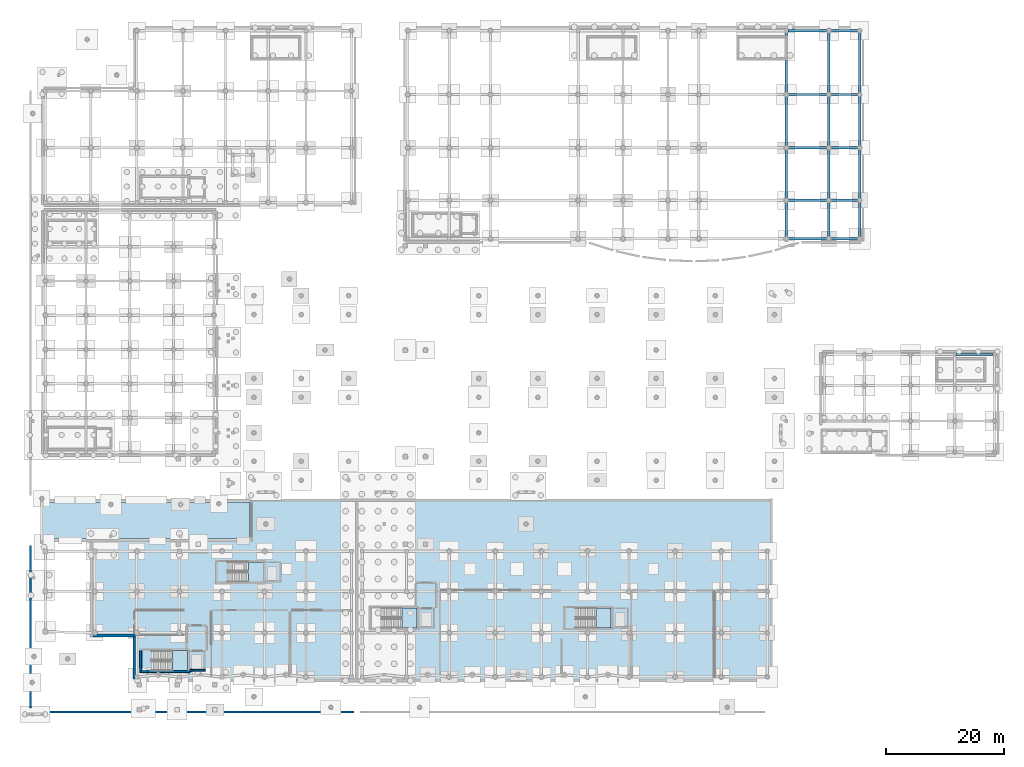
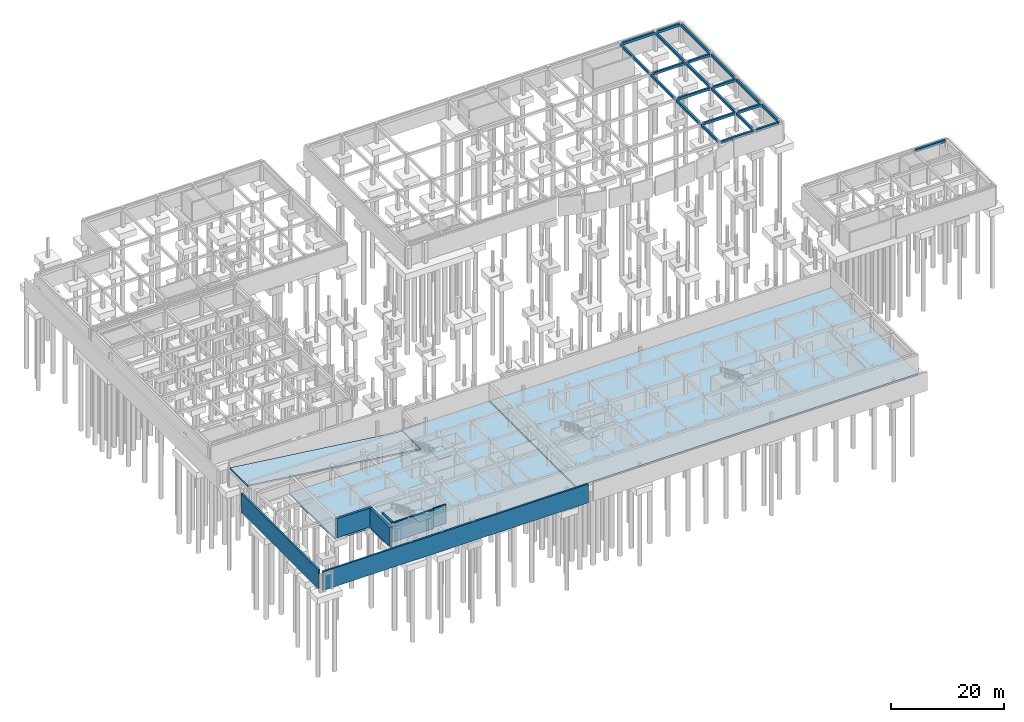
# One storey, part 14 of 22: 23 beams, 7 slabs, 7 walls, 4 elements without a shape of their own.
"""IFC4 building model written with IfcOpenShell, lengths in metres."""

from ifc_helpers import new_model, si_unit, direction, frame, frame_2d, origin, origin_2d, place, context, subcontext, project, spatial, polyline, rectangle, outline, extrude, material, layer, layer_set, material_profile, profile_set, type_object, element, aggregate, save


model = new_model("IFC4")

# Units and contexts
model_context = context("Model", 3, precision=1e-05, world=origin(), true_north=direction((0.0, 1.0)))
body_context = subcontext(model_context, "Body", "Model", "MODEL_VIEW")
ifc_project = project(units=[si_unit("LENGTHUNIT", "METRE"), si_unit("AREAUNIT", "SQUARE_METRE"), si_unit("VOLUMEUNIT", "CUBIC_METRE"), si_unit("PLANEANGLEUNIT", "RADIAN"), si_unit("MASSUNIT", "GRAM", prefix="KILO")], contexts=[model_context])

# Site, building, storey
site_placement = place(None, origin())
site = spatial("IfcSite", under=ifc_project, at=site_placement, CompositionType="ELEMENT")
building_placement = place(site_placement, origin())
building = spatial("IfcBuilding", under=site, at=building_placement, Name="Valcora Specialist Clinic", CompositionType="ELEMENT")
storey_placement = place(building_placement, frame((0.0, 0.0, -4.419921875)))
storey = spatial("IfcBuildingStorey", under=building, at=storey_placement, Name="B1", CompositionType="ELEMENT", Elevation=-4.419921875)

# Beams
ifc_material_1 = material(Name="Concrete C35/45", Category="concrete")
ifc_material_profile = material_profile(ifc_material_1, rectangle(XDim=0.39990234375, YDim=0.550048828125, at=origin_2d()), Name="RC-TB-400X550")
ifc_profile_set = profile_set([ifc_material_profile], Name="Concrete C35/45")
beam_type = type_object("IfcBeamType", Name="TY-BM-TB400X550", PredefinedType="BEAM", material=ifc_profile_set)
beam_1_placement = place(storey_placement, frame((154.72509765625, 55.25, 3.885009765625), z_axis=(1.0, 0.0, 0.0), x_axis=(0.0, 1.0, 0.0)))
element("IfcBeam", 1, at=beam_1_placement, inside=storey, type_object=beam_type, Name="Beam BM-B1-0385", PredefinedType="BEAM", context=body_context, shape_type="SweptSolid", body=[
    extrude(rectangle(XDim=0.39990234375, YDim=0.550048828125, at=origin_2d()), origin(), (0.0, 0.0, 1.0), 6.25),
])
beam_2_placement = place(storey_placement, frame((126.25, 74.800048828125, 3.844970703125), z_axis=(1.0, 0.0, 0.0), x_axis=(0.0, 1.0, 0.0)))
element("IfcBeam", 2, at=beam_2_placement, inside=storey, type_object=beam_type, Name="Beam BM-B1-0453", PredefinedType="BEAM", context=body_context, shape_type="SweptSolid", body=[
    extrude(rectangle(XDim=0.39990234375, YDim=0.550048828125, at=origin_2d()), origin(), (0.0, 0.0, 1.0), 6.699951171875),
])
beam_3_placement = place(storey_placement, frame((133.449951171875, 74.800048828125, 3.844970703125), z_axis=(1.0, 0.0, 0.0), x_axis=(0.0, 1.0, 0.0)))
element("IfcBeam", 3, at=beam_3_placement, inside=storey, type_object=beam_type, Name="Beam BM-B1-0454", PredefinedType="BEAM", context=body_context, shape_type="SweptSolid", body=[
    extrude(rectangle(XDim=0.39990234375, YDim=0.550048828125, at=origin_2d()), origin(), (0.0, 0.0, 1.0), 4.699951171875),
])
beam_4_placement = place(storey_placement, frame((126.300048828125, 81.300048828125, 3.844970703125), z_axis=(1.0, 0.0, 0.0), x_axis=(0.0, 1.0, 0.0)))
element("IfcBeam", 4, at=beam_4_placement, inside=storey, type_object=beam_type, Name="Beam BM-B1-0462", PredefinedType="BEAM", context=body_context, shape_type="SweptSolid", body=[
    extrude(rectangle(XDim=0.39990234375, YDim=0.550048828125, at=origin_2d()), origin(), (0.0, 0.0, 1.0), 6.599853515625),
])
beam_5_placement = place(storey_placement, frame((133.5, 81.300048828125, 3.844970703125), z_axis=(1.0, 0.0, 0.0), x_axis=(0.0, 1.0, 0.0)))
element("IfcBeam", 5, at=beam_5_placement, inside=storey, type_object=beam_type, Name="Beam BM-B1-0463", PredefinedType="BEAM", context=body_context, shape_type="SweptSolid", body=[
    extrude(rectangle(XDim=0.39990234375, YDim=0.550048828125, at=origin_2d()), origin(), (0.0, 0.0, 1.0), 4.60009765625),
])
beam_6_placement = place(storey_placement, frame((126.300048828125, 90.199951171875, 3.844970703125), z_axis=(1.0, 0.0, 0.0), x_axis=(0.0, 1.0, 0.0)))
element("IfcBeam", 6, at=beam_6_placement, inside=storey, type_object=beam_type, Name="Beam BM-B1-0471", PredefinedType="BEAM", context=body_context, shape_type="SweptSolid", body=[
    extrude(rectangle(XDim=0.39990234375, YDim=0.550048828125, at=origin_2d()), origin(), (0.0, 0.0, 1.0), 6.599853515625),
])
beam_7_placement = place(storey_placement, frame((133.5, 90.199951171875, 3.844970703125), z_axis=(1.0, 0.0, 0.0), x_axis=(0.0, 1.0, 0.0)))
element("IfcBeam", 7, at=beam_7_placement, inside=storey, type_object=beam_type, Name="Beam BM-B1-0472", PredefinedType="BEAM", context=body_context, shape_type="SweptSolid", body=[
    extrude(rectangle(XDim=0.39990234375, YDim=0.550048828125, at=origin_2d()), origin(), (0.0, 0.0, 1.0), 4.60009765625),
])
beam_8_placement = place(storey_placement, frame((126.300048828125, 99.199951171875, 3.844970703125), z_axis=(1.0, 0.0, 0.0), x_axis=(0.0, 1.0, 0.0)))
element("IfcBeam", 8, at=beam_8_placement, inside=storey, type_object=beam_type, Name="Beam BM-B1-0480", PredefinedType="BEAM", context=body_context, shape_type="SweptSolid", body=[
    extrude(rectangle(XDim=0.39990234375, YDim=0.550048828125, at=origin_2d()), origin(), (0.0, 0.0, 1.0), 6.599853515625),
])
beam_9_placement = place(storey_placement, frame((133.5, 99.199951171875, 3.844970703125), z_axis=(1.0, 0.0, 0.0), x_axis=(0.0, 1.0, 0.0)))
element("IfcBeam", 9, at=beam_9_placement, inside=storey, type_object=beam_type, Name="Beam BM-B1-0481", PredefinedType="BEAM", context=body_context, shape_type="SweptSolid", body=[
    extrude(rectangle(XDim=0.39990234375, YDim=0.550048828125, at=origin_2d()), origin(), (0.0, 0.0, 1.0), 4.60009765625),
])
beam_10_placement = place(storey_placement, frame((126.25, 110.0, 3.844970703125), z_axis=(1.0, 0.0, 0.0), x_axis=(0.0, 1.0, 0.0)))
element("IfcBeam", 10, at=beam_10_placement, inside=storey, type_object=beam_type, Name="Beam BM-B1-0489", PredefinedType="BEAM", context=body_context, shape_type="SweptSolid", body=[
    extrude(rectangle(XDim=0.39990234375, YDim=0.550048828125, at=origin_2d()), origin(), (0.0, 0.0, 1.0), 6.699951171875),
])
beam_11_placement = place(storey_placement, frame((133.449951171875, 110.0, 3.844970703125), z_axis=(1.0, 0.0, 0.0), x_axis=(0.0, 1.0, 0.0)))
element("IfcBeam", 11, at=beam_11_placement, inside=storey, type_object=beam_type, Name="Beam BM-B1-0490", PredefinedType="BEAM", context=body_context, shape_type="SweptSolid", body=[
    extrude(rectangle(XDim=0.39990234375, YDim=0.550048828125, at=origin_2d()), origin(), (0.0, 0.0, 1.0), 4.699951171875),
])
beam_12_placement = place(storey_placement, frame((126.0, 75.050048828125, 3.844970703125), z_axis=(0.0, 1.0, 0.0), x_axis=(-1.0, 0.0, 0.0)))
element("IfcBeam", 12, at=beam_12_placement, inside=storey, type_object=beam_type, Name="Beam BM-B1-0519", PredefinedType="BEAM", context=body_context, shape_type="SweptSolid", body=[
    extrude(rectangle(XDim=0.39990234375, YDim=0.550048828125, at=origin_2d()), origin(), (0.0, 0.0, 1.0), 5.949951171875),
])
beam_13_placement = place(storey_placement, frame((126.0, 81.60009765625, 3.844970703125), z_axis=(0.0, 1.0, 0.0), x_axis=(-1.0, 0.0, 0.0)))
element("IfcBeam", 13, at=beam_13_placement, inside=storey, type_object=beam_type, Name="Beam BM-B1-0520", PredefinedType="BEAM", context=body_context, shape_type="SweptSolid", body=[
    extrude(rectangle(XDim=0.39990234375, YDim=0.550048828125, at=origin_2d()), origin(), (0.0, 0.0, 1.0), 8.2998046875),
])
beam_14_placement = place(storey_placement, frame((126.0, 90.5, 3.844970703125), z_axis=(0.0, 1.0, 0.0), x_axis=(-1.0, 0.0, 0.0)))
element("IfcBeam", 14, at=beam_14_placement, inside=storey, type_object=beam_type, Name="Beam BM-B1-0521", PredefinedType="BEAM", context=body_context, shape_type="SweptSolid", body=[
    extrude(rectangle(XDim=0.39990234375, YDim=0.550048828125, at=origin_2d()), origin(), (0.0, 0.0, 1.0), 8.39990234375),
])
beam_15_placement = place(storey_placement, frame((126.0, 99.5, 3.844970703125), z_axis=(0.0, 1.0, 0.0), x_axis=(-1.0, 0.0, 0.0)))
element("IfcBeam", 15, at=beam_15_placement, inside=storey, type_object=beam_type, Name="Beam BM-B1-0522", PredefinedType="BEAM", context=body_context, shape_type="SweptSolid", body=[
    extrude(rectangle(XDim=0.39990234375, YDim=0.550048828125, at=origin_2d()), origin(), (0.0, 0.0, 1.0), 10.25),
])
beam_16_placement = place(storey_placement, frame((133.199951171875, 75.050048828125, 3.844970703125), z_axis=(0.0, 1.0, 0.0), x_axis=(-1.0, 0.0, 0.0)))
element("IfcBeam", 16, at=beam_16_placement, inside=storey, type_object=beam_type, Name="Beam BM-B1-0523", PredefinedType="BEAM", context=body_context, shape_type="SweptSolid", body=[
    extrude(rectangle(XDim=0.39990234375, YDim=0.550048828125, at=origin_2d()), origin(), (0.0, 0.0, 1.0), 5.949951171875),
])
beam_17_placement = place(storey_placement, frame((133.199951171875, 81.60009765625, 3.844970703125), z_axis=(0.0, 1.0, 0.0), x_axis=(-1.0, 0.0, 0.0)))
element("IfcBeam", 17, at=beam_17_placement, inside=storey, type_object=beam_type, Name="Beam BM-B1-0524", PredefinedType="BEAM", context=body_context, shape_type="SweptSolid", body=[
    extrude(rectangle(XDim=0.39990234375, YDim=0.550048828125, at=origin_2d()), origin(), (0.0, 0.0, 1.0), 8.2998046875),
])
beam_18_placement = place(storey_placement, frame((133.199951171875, 90.5, 3.844970703125), z_axis=(0.0, 1.0, 0.0), x_axis=(-1.0, 0.0, 0.0)))
element("IfcBeam", 18, at=beam_18_placement, inside=storey, type_object=beam_type, Name="Beam BM-B1-0525", PredefinedType="BEAM", context=body_context, shape_type="SweptSolid", body=[
    extrude(rectangle(XDim=0.39990234375, YDim=0.550048828125, at=origin_2d()), origin(), (0.0, 0.0, 1.0), 8.39990234375),
])
beam_19_placement = place(storey_placement, frame((133.199951171875, 99.5, 3.844970703125), z_axis=(0.0, 1.0, 0.0), x_axis=(-1.0, 0.0, 0.0)))
element("IfcBeam", 19, at=beam_19_placement, inside=storey, type_object=beam_type, Name="Beam BM-B1-0526", PredefinedType="BEAM", context=body_context, shape_type="SweptSolid", body=[
    extrude(rectangle(XDim=0.39990234375, YDim=0.550048828125, at=origin_2d()), origin(), (0.0, 0.0, 1.0), 10.25),
])
beam_20_placement = place(storey_placement, frame((138.39990234375, 75.050048828125, 3.844970703125), z_axis=(0.0, 1.0, 0.0), x_axis=(-1.0, 0.0, 0.0)))
element("IfcBeam", 20, at=beam_20_placement, inside=storey, type_object=beam_type, Name="Beam BM-B1-0527", PredefinedType="BEAM", context=body_context, shape_type="SweptSolid", body=[
    extrude(rectangle(XDim=0.39990234375, YDim=0.550048828125, at=origin_2d()), origin(), (0.0, 0.0, 1.0), 5.949951171875),
])
beam_21_placement = place(storey_placement, frame((138.39990234375, 81.60009765625, 3.844970703125), z_axis=(0.0, 1.0, 0.0), x_axis=(-1.0, 0.0, 0.0)))
element("IfcBeam", 21, at=beam_21_placement, inside=storey, type_object=beam_type, Name="Beam BM-B1-0528", PredefinedType="BEAM", context=body_context, shape_type="SweptSolid", body=[
    extrude(rectangle(XDim=0.39990234375, YDim=0.550048828125, at=origin_2d()), origin(), (0.0, 0.0, 1.0), 8.2998046875),
])
beam_22_placement = place(storey_placement, frame((138.39990234375, 90.5, 3.844970703125), z_axis=(0.0, 1.0, 0.0), x_axis=(-1.0, 0.0, 0.0)))
element("IfcBeam", 22, at=beam_22_placement, inside=storey, type_object=beam_type, Name="Beam BM-B1-0529", PredefinedType="BEAM", context=body_context, shape_type="SweptSolid", body=[
    extrude(rectangle(XDim=0.39990234375, YDim=0.550048828125, at=origin_2d()), origin(), (0.0, 0.0, 1.0), 8.39990234375),
])
beam_23_placement = place(storey_placement, frame((138.39990234375, 99.5, 3.844970703125), z_axis=(0.0, 1.0, 0.0), x_axis=(-1.0, 0.0, 0.0)))
element("IfcBeam", 23, at=beam_23_placement, inside=storey, type_object=beam_type, Name="Beam BM-B1-0530", PredefinedType="BEAM", context=body_context, shape_type="SweptSolid", body=[
    extrude(rectangle(XDim=0.39990234375, YDim=0.550048828125, at=origin_2d()), origin(), (0.0, 0.0, 1.0), 10.25),
])

# Slabs
ifc_layer_1 = layer(ifc_material_1, 0.39990234375)
ifc_layer_set_1 = layer_set([ifc_layer_1], Name="Concrete C35/45")
slab_type_1 = type_object("IfcSlabType", Name="TY-SL-BASE400", PredefinedType="BASESLAB", material=ifc_layer_set_1)
slab_1_placement = place(storey_placement, frame((0.0, 0.0, -0.400146484375)))
element("IfcSlab", 24, at=slab_1_placement, inside=storey, type_object=slab_type_1, Name="V6 B1 structural slab SL-B1-020", PredefinedType="BASESLAB", context=body_context, shape_type="SweptSolid", body=[
    extrude(outline(polyline([(53.5, 0.0), (123.60009765625, 0.0), (123.60009765625, 30.800048828125), (53.5, 30.800048828125), (53.5, 0.0)])), origin(), (0.0, 0.0, 1.0), 0.400146484375),
])
ifc_layer_2 = layer(ifc_material_1, 0.449951171875)
ifc_layer_set_2 = layer_set([ifc_layer_2], Name="Concrete C35/45")
slab_type_2 = type_object("IfcSlabType", Name="TY-SL-BASE450", PredefinedType="BASESLAB", material=ifc_layer_set_2)
slab_2_placement = place(storey_placement, frame((0.0, 0.0, -0.4501953125)))
element("IfcSlab", 25, at=slab_2_placement, inside=storey, type_object=slab_type_2, Name="V5 B1 structural slab SL-B1-013", PredefinedType="BASESLAB", context=body_context, shape_type="SweptSolid", body=[
    extrude(outline(polyline([(15.60009765625, 0.0), (53.300048828125, 0.0), (53.300048828125, 30.800048828125), (35.449951171875, 30.800048828125), (35.449951171875, 23.800048828125), (8.39990234375, 23.800048828125), (8.39990234375, 7.60009765625), (15.60009765625, 7.60009765625), (15.60009765625, 0.0)])), origin(), (0.0, 0.0, 1.0), 0.4501953125),
])
ifc_material_2 = material(Name="Concrete C40/50", Category="concrete")
ifc_layer_3 = layer(ifc_material_2, 0.330078125)
ifc_layer_set_3 = layer_set([ifc_layer_3], Name="Concrete C40/50")
slab_type_3 = type_object("IfcSlabType", Name="TY-SL-FLR330", PredefinedType="FLOOR", material=ifc_layer_set_3)
slab_3_placement = place(storey_placement, frame((35.360107421875, 24.050048828125, 0.0), z_axis=(0.124205299196, 0.0, 0.992256541249), x_axis=(-0.992256541249, 0.0, 0.124205299196)))
element("IfcSlab", 26, at=slab_3_placement, inside=storey, type_object=slab_type_3, Name="Basement two-way structural vehicle ramp slab SL-B1-096", PredefinedType="FLOOR", context=body_context, shape_type="SweptSolid", body=[
    extrude(outline(polyline([(0.0, 0.0), (35.58561433044485, 0.0), (35.58561433044485, -6.300048828124999), (0.0, -6.300048828124999), (0.0, 0.0)])), origin(), (0.0, 0.0, -1.0), 0.330078125),
])

# Stair, slab
stair_type = type_object("IfcStairType", Name="TY-ST-DG442", PredefinedType="HALF_TURN_STAIR", material=ifc_material_2)
stair_1_placement = place(storey_placement, origin())
stair_1 = element("IfcStair", 27, at=stair_1_placement, inside=storey, type_object=stair_type, Name="B1 Core C-V5A stair ST-V5A", PredefinedType="HALF_TURN_STAIR")
ifc_layer_4 = layer(ifc_material_2, 0.199951171875)
ifc_layer_set_4 = layer_set([ifc_layer_4], Name="Concrete C40/50")
slab_type_4 = type_object("IfcSlabType", Name="TY-SL-LND200", PredefinedType="LANDING", material=ifc_layer_set_4)
slab_4_placement = place(storey_placement, frame((0.0, 0.0, 2.010009765625)))
slab_4 = element("IfcSlab", 28, at=slab_4_placement, type_object=slab_type_4, Name="ST-V5A landing 1", PredefinedType="LANDING", context=body_context, shape_type="SweptSolid", body=[
    extrude(outline(polyline([(22.239990234375, 1.800048828125), (24.800048828125, 1.800048828125), (24.800048828125, 5.199951171875), (22.239990234375, 5.199951171875), (22.239990234375, 1.800048828125)])), origin(), (0.0, 0.0, 1.0), 0.199951171875),
])
aggregate(stair_1, [slab_4])

stair_2_placement = place(storey_placement, origin())
stair_2 = element("IfcStair", 29, at=stair_2_placement, inside=storey, type_object=stair_type, Name="B1 Core C-V5B stair ST-V5B", PredefinedType="HALF_TURN_STAIR")
slab_5_placement = place(storey_placement, frame((0.0, 0.0, 2.010009765625)))
slab_5 = element("IfcSlab", 30, at=slab_5_placement, type_object=slab_type_4, Name="ST-V5B landing 1", PredefinedType="LANDING", context=body_context, shape_type="SweptSolid", body=[
    extrude(outline(polyline([(35.0400390625, 16.800048828125), (37.60009765625, 16.800048828125), (37.60009765625, 20.199951171875), (35.0400390625, 20.199951171875), (35.0400390625, 16.800048828125)])), origin(), (0.0, 0.0, 1.0), 0.199951171875),
])
aggregate(stair_2, [slab_5])

stair_3_placement = place(storey_placement, origin())
stair_3 = element("IfcStair", 31, at=stair_3_placement, inside=storey, type_object=stair_type, Name="B1 Core C-V6A stair ST-V6A", PredefinedType="HALF_TURN_STAIR")
slab_6_placement = place(storey_placement, frame((0.0, 0.0, 2.010009765625)))
slab_6 = element("IfcSlab", 32, at=slab_6_placement, type_object=slab_type_4, Name="ST-V6A landing 1", PredefinedType="LANDING", context=body_context, shape_type="SweptSolid", body=[
    extrude(outline(polyline([(61.0400390625, 9.0), (63.60009765625, 9.0), (63.60009765625, 12.39990234375), (61.0400390625, 12.39990234375), (61.0400390625, 9.0)])), origin(), (0.0, 0.0, 1.0), 0.199951171875),
])
aggregate(stair_3, [slab_6])

stair_4_placement = place(storey_placement, origin())
stair_4 = element("IfcStair", 33, at=stair_4_placement, inside=storey, type_object=stair_type, Name="B1 Core C-V6B stair ST-V6B", PredefinedType="HALF_TURN_STAIR")
slab_7_placement = place(storey_placement, frame((0.0, 0.0, 2.010009765625)))
slab_7 = element("IfcSlab", 34, at=slab_7_placement, type_object=slab_type_4, Name="ST-V6B landing 1", PredefinedType="LANDING", context=body_context, shape_type="SweptSolid", body=[
    extrude(outline(polyline([(93.840087890625, 9.0), (96.39990234375, 9.0), (96.39990234375, 12.39990234375), (93.840087890625, 12.39990234375), (93.840087890625, 9.0)])), origin(), (0.0, 0.0, 1.0), 0.199951171875),
])
aggregate(stair_4, [slab_7])

# Walls
ifc_layer_5 = layer(ifc_material_2, 0.320068359375)
ifc_layer_set_5 = layer_set([ifc_layer_5], Name="Concrete C40/50")
wall_type_1 = type_object("IfcWallType", Name="TY-WL-CR320", PredefinedType="SHEAR", material=ifc_layer_set_5)
wall_1_placement = place(storey_placement, frame((16.679931640625, 1.639892578125, 0.0), z_axis=(0.0, 0.0, 1.0), x_axis=(1.0, 0.0, 0.0)))
element("IfcWall", 35, at=wall_1_placement, inside=storey, type_object=wall_type_1, Name="Core shear wall WL-CR-C-V5A-B1-S", PredefinedType="SHEAR", context=body_context, shape_type="SweptSolid", body=[
    extrude(rectangle(XDim=8.440185546875, YDim=0.320068359375, at=frame_2d((4.22021484375, 0.0))), origin(), (0.0, 0.0, 1.0), 4.10498046875),
])
wall_2_placement = place(storey_placement, frame((16.840087890625, 1.802001953125, 0.0), z_axis=(0.0, 0.0, 1.0), x_axis=(0.0, 1.0, 0.0)))
element("IfcWall", 36, at=wall_2_placement, inside=storey, type_object=wall_type_1, Name="Core shear wall WL-CR-C-V5A-B1-W", PredefinedType="SHEAR", context=body_context, shape_type="SweptSolid", body=[
    extrude(rectangle(XDim=3.39599609375, YDim=0.320068359375, at=frame_2d((1.697998046875, 0.0))), origin(), (0.0, 0.0, 1.0), 4.10498046875),
])
ifc_material_3 = material(Name="Extruded Jalisco Clay Brick Masonry", Category="masonry")
ifc_layer_6 = layer(ifc_material_3, 0.35498046875)
ifc_layer_set_6 = layer_set([ifc_layer_6], Name="Extruded Jalisco Clay Brick Masonry")
wall_type_2 = type_object("IfcWallType", Name="TY-WL-EW355", PredefinedType="SOLIDWALL", material=ifc_layer_set_6)
wall_3_placement = place(storey_placement, frame((-1.580078125, -5.199951171875, 0.0), z_axis=(0.0, 0.0, 1.0), x_axis=(1.0, 0.0, 0.0)))
element("IfcWall", 37, at=wall_3_placement, inside=storey, type_object=wall_type_2, Name="Sub-grade brick plinth wall 28", PredefinedType="SOLIDWALL", context=body_context, shape_type="SweptSolid", body=[
    extrude(rectangle(XDim=54.4599609375, YDim=0.35498046875, at=frame_2d((27.22998046875, 0.0))), origin(), (0.0, 0.0, 1.0), 4.079833984375),
])
wall_4_placement = place(storey_placement, frame((-1.800048828125, -4.47998046875, 0.0), z_axis=(0.0, 0.0, 1.0), x_axis=(0.0, 1.0, 0.0)))
element("IfcWall", 38, at=wall_4_placement, inside=storey, type_object=wall_type_2, Name="Sub-grade brick plinth wall 30", PredefinedType="SOLIDWALL", context=body_context, shape_type="SweptSolid", body=[
    extrude(rectangle(XDim=27.4599609375, YDim=0.35498046875, at=frame_2d((13.72998046875, 0.0))), origin(), (0.0, 0.0, 1.0), 4.079833984375),
])
ifc_layer_7 = layer(ifc_material_2, 0.4599609375)
ifc_layer_set_7 = layer_set([ifc_layer_7], Name="Concrete C40/50")
wall_type_3 = type_object("IfcWallType", Name="TY-WL-RET460", PredefinedType="SHEAR", material=ifc_layer_set_7)
wall_5_placement = place(storey_placement, frame((8.780029296875, 7.75, 0.0), z_axis=(0.0, 0.0, 1.0), x_axis=(1.0, 0.0, 0.0)))
element("IfcWall", 39, at=wall_5_placement, inside=storey, type_object=wall_type_3, Name="Exterior wall WL-EXT-B1-0004", PredefinedType="SHEAR", context=body_context, shape_type="SweptSolid", body=[
    extrude(rectangle(XDim=7.199951171875, YDim=0.4599609375, at=frame_2d((3.60009765625, 0.0))), origin(), (0.0, 0.0, 1.0), 4.10498046875),
])
wall_6_placement = place(storey_placement, frame((15.75, 7.52001953125, 0.0), z_axis=(0.0, 0.0, 1.0), x_axis=(0.0, -1.0, 0.0)))
element("IfcWall", 40, at=wall_6_placement, inside=storey, type_object=wall_type_3, Name="Exterior wall WL-EXT-B1-0005", PredefinedType="SHEAR", context=body_context, shape_type="SweptSolid", body=[
    extrude(rectangle(XDim=7.14013671875, YDim=0.4599609375, at=frame_2d((3.570068359375, 0.0))), origin(), (0.0, 0.0, 1.0), 4.10498046875),
])
ifc_layer_8 = layer(ifc_material_2, 0.260009765625)
ifc_layer_set_8 = layer_set([ifc_layer_8], Name="Concrete C40/50")
wall_type_4 = type_object("IfcWallType", Name="TY-WL-SH260", PredefinedType="SHEAR", material=ifc_layer_set_8)
wall_7_placement = place(storey_placement, frame((25.1220703125, 1.8701171875, 0.0), z_axis=(0.0, 0.0, 1.0), x_axis=(1.0, 0.0, 0.0)))
element("IfcWall", 41, at=wall_7_placement, inside=storey, type_object=wall_type_4, Name="Lift shaft wall WL-LF-LF-05-B1-LS", PredefinedType="SHEAR", context=body_context, shape_type="SweptSolid", body=[
    extrude(rectangle(XDim=2.657958984375, YDim=0.260009765625, at=frame_2d((1.3291015625, 0.0))), origin(), (0.0, 0.0, 1.0), 4.10498046875),
])

save(model, "model.ifc")
